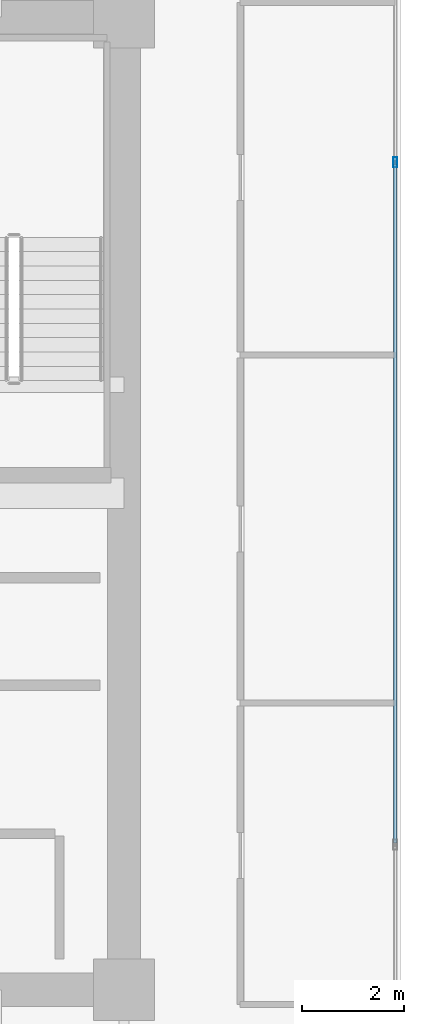
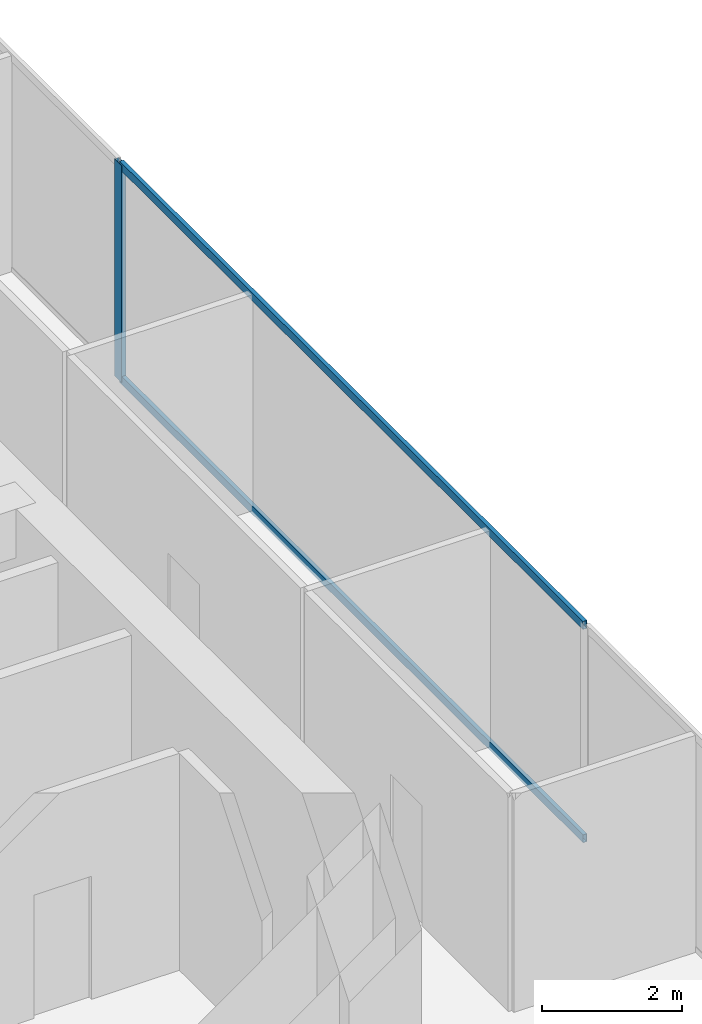
# One storey, part 22 of 33: 3 members, 1 element without a shape of its own.
"""IFC4 building model written with IfcOpenShell, lengths in metres."""

from ifc_helpers import new_model, si_unit, direction, frame, origin, origin_2d, place, context, subcontext, project, spatial, hollow_rectangle, extrude, source, transform, mapped, material, layer, layer_set, material_profile, profile_set, type_object, type_shapes, element, aggregate, save


model = new_model("IFC4")

# Units and contexts
model_context = context("Model", 3, precision=1e-05, world=origin(), true_north=direction((0.0, 1.0)))
body_context = subcontext(model_context, "Body", "Model", "MODEL_VIEW")
ifc_project = project(units=[si_unit("LENGTHUNIT", "METRE"), si_unit("AREAUNIT", "SQUARE_METRE"), si_unit("VOLUMEUNIT", "CUBIC_METRE"), si_unit("PLANEANGLEUNIT", "RADIAN"), si_unit("MASSUNIT", "GRAM", prefix="KILO")], contexts=[model_context])

# Site, building, storey
site_placement = place(None, origin())
site = spatial("IfcSite", under=ifc_project, at=site_placement, CompositionType="ELEMENT")
building_placement = place(site_placement, origin())
building = spatial("IfcBuilding", under=site, at=building_placement, Name="Haelvirn Gate Laboratories", CompositionType="ELEMENT")
storey_placement = place(building_placement, frame((0.0, 0.0, 166.60009765625)))
storey = spatial("IfcBuildingStorey", under=building, at=storey_placement, Name="L40", CompositionType="ELEMENT", Elevation=166.60009765625)

# Curtain wall, members
ifc_material_1 = material(Name="Anodised bronze unitised aluminium & triple low-E glass", Category="aluminium")
ifc_layer = layer(ifc_material_1, 0.179931640625, Name="CW-SYS-3")
ifc_layer_set = layer_set([ifc_layer], Name="Anodised bronze unitised aluminium & triple low-E glass")
curtain_wall_type = type_object("IfcCurtainWallType", Name="CW-SYS-3", PredefinedType="NOTDEFINED", material=ifc_layer_set)
curtain_wall_placement = place(storey_placement, origin())
curtain_wall = element("IfcCurtainWall", 1, at=curtain_wall_placement, inside=storey, type_object=curtain_wall_type, Name="L40 Unitised Curtain Wall CW-L40-P0-E07", PredefinedType="NOTDEFINED")
ifc_material_2 = material(Name="Extruded aluminium 6063-T6 (anodised bronze)", Category="aluminium")
ifc_material_profile_1 = material_profile(ifc_material_2, hollow_rectangle(XDim=0.06494140625, YDim=0.139892578125, WallThickness=0.00390625, at=origin_2d()), Name="CWT-140x65x4")
ifc_profile_set_1 = profile_set([ifc_material_profile_1], Name="Extruded aluminium 6063-T6 (anodised bronze)")
member_type_1 = type_object("IfcMemberType", Name="CWT-T140", PredefinedType="USERDEFINED", material=ifc_profile_set_1)
shared_shape_1 = source(origin(), body_context, "Body", "SweptSolid", [
    extrude(hollow_rectangle(XDim=0.06494140625, YDim=0.139892578125, WallThickness=0.00390625, at=origin_2d()), origin(), (0.0, 0.0, 1.0), 13.25830078125),
])
type_shapes(member_type_1, [shared_shape_1])
member_1_placement = place(storey_placement, frame((72.699951171875, 17.6708984375, 0.032470703125), z_axis=(0.0, 1.0, 0.0), x_axis=(-1.0, 0.0, 0.0)))
member_1 = element("IfcMember", 2, at=member_1_placement, type_object=member_type_1, Name="CW3 transom 2.1", ObjectType="TRANSOM", PredefinedType="USERDEFINED", context=body_context, shape_type="MappedRepresentation", body=[
    mapped(shared_shape_1, transform((0.0, 0.0, 0.0), scale=1.0)),
])
member_2_placement = place(storey_placement, frame((72.699951171875, 17.6708984375, 3.75732421875), z_axis=(0.0, 1.0, 0.0), x_axis=(-1.0, 0.0, 0.0)))
member_2 = element("IfcMember", 3, at=member_2_placement, type_object=member_type_1, Name="CW3 transom 2.2", ObjectType="TRANSOM", PredefinedType="USERDEFINED", context=body_context, shape_type="MappedRepresentation", body=[
    mapped(shared_shape_1, transform((0.0, 0.0, 0.0), scale=1.0)),
])
ifc_material_profile_2 = material_profile(ifc_material_2, hollow_rectangle(XDim=0.074951171875, YDim=0.199951171875, WallThickness=0.0048828125, at=origin_2d()), Name="CWM-200x75x5")
ifc_profile_set_2 = profile_set([ifc_material_profile_2], Name="Extruded aluminium 6063-T6 (anodised bronze)")
member_type_2 = type_object("IfcMemberType", Name="CWM-T200", PredefinedType="MULLION", material=ifc_profile_set_2)
shared_shape_2 = source(origin(), body_context, "Body", "SweptSolid", [
    extrude(hollow_rectangle(XDim=0.074951171875, YDim=0.199951171875, WallThickness=0.0048828125, at=origin_2d()), origin(), (0.0, 0.0, 1.0), 3.789794921875),
])
type_shapes(member_type_2, [shared_shape_2])
member_3_placement = place(storey_placement, frame((72.699951171875, 30.966552734375, 0.0), z_axis=(0.0, 0.0, 1.0), x_axis=(-1.0, 0.0, 0.0)))
member_3 = element("IfcMember", 4, at=member_3_placement, type_object=member_type_2, Name="CW3 mullion 3", PredefinedType="MULLION", context=body_context, shape_type="MappedRepresentation", body=[
    mapped(shared_shape_2, transform((0.0, 0.0, 0.0), scale=1.0)),
])
aggregate(curtain_wall, [member_3, member_1, member_2])

save(model, "model.ifc")
